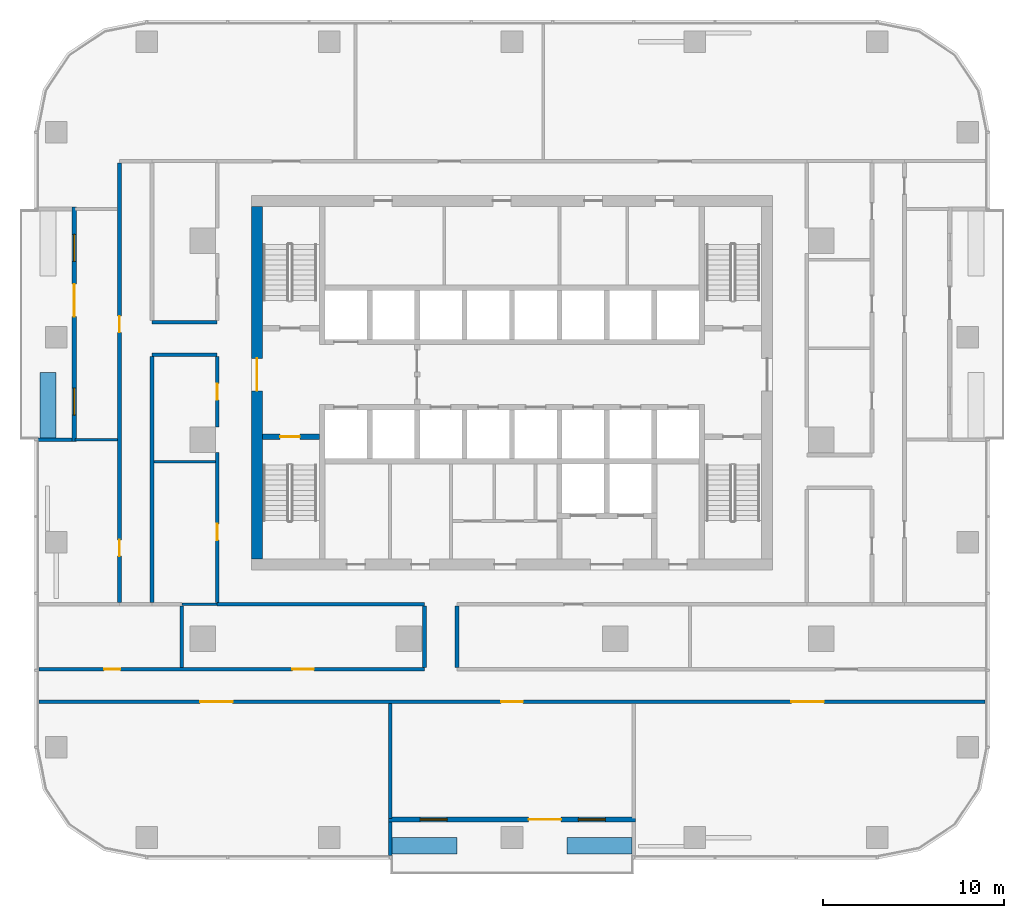
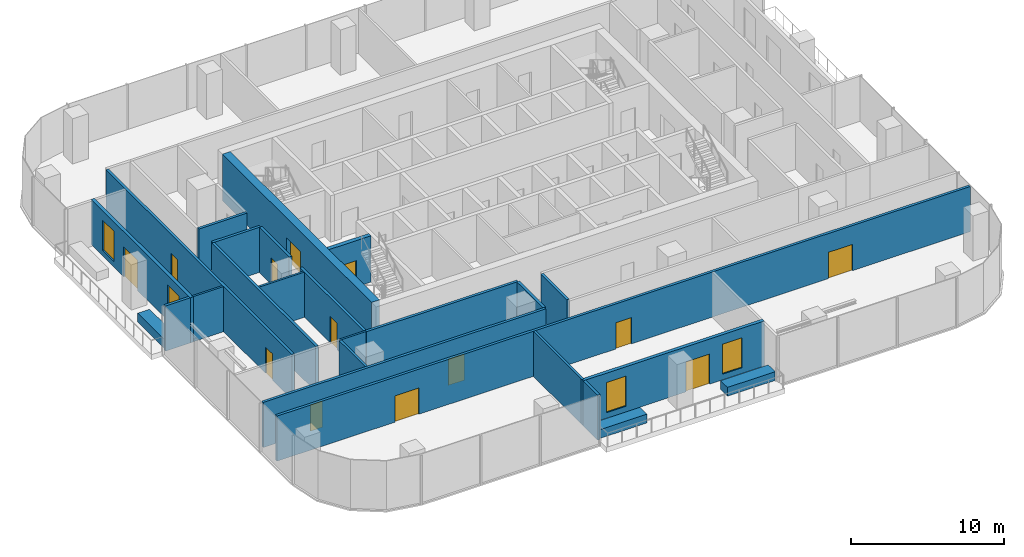
# One storey, part 7 of 15: 25 walls, 13 doors, 4 windows, 17 openings.
"""IFC4 building model written with IfcOpenShell, lengths in metres."""

from ifc_helpers import new_model, si_unit, direction, frame, frame_2d, origin, place, context, subcontext, project, spatial, rectangle, extrude, material, layer, layer_set, type_object, element, fill, save


model = new_model("IFC4")

# Units and contexts
model_context = context("Model", 3, precision=1e-05, world=origin(), true_north=direction((0.0, 1.0)))
body_context = subcontext(model_context, "Body", "Model", "MODEL_VIEW")
ifc_project = project(units=[si_unit("LENGTHUNIT", "METRE"), si_unit("AREAUNIT", "SQUARE_METRE"), si_unit("VOLUMEUNIT", "CUBIC_METRE"), si_unit("PLANEANGLEUNIT", "RADIAN"), si_unit("MASSUNIT", "GRAM", prefix="KILO")], contexts=[model_context])

# Site, building, storey
site_placement = place(None, origin())
site = spatial("IfcSite", under=ifc_project, at=site_placement, CompositionType="ELEMENT")
building_placement = place(site_placement, origin())
building = spatial("IfcBuilding", under=site, at=building_placement, Name="Mopane Tessera Tower", CompositionType="ELEMENT")
storey_placement = place(building_placement, frame((0.0, 0.0, 177.0)))
storey = spatial("IfcBuildingStorey", under=building, at=storey_placement, Name="L36", CompositionType="ELEMENT", Elevation=177.0)

# Wall, opening, door
ifc_material_1 = material(Name="Concrete C70/85", Category="concrete")
ifc_layer_1 = layer(ifc_material_1, 0.60009765625)
ifc_layer_set_1 = layer_set([ifc_layer_1], Name="Concrete C70/85")
wall_type_1 = type_object("IfcWallType", Name="Core shear wall 600 mm", PredefinedType="SHEAR", material=ifc_layer_set_1)
wall_1_placement = place(storey_placement, frame((-14.10009765625, -6.60009765625, 0.0), z_axis=(0.0, 0.0, 1.0), x_axis=(0.0, 1.0, 0.0)))
wall_1 = element("IfcWall", 1, at=wall_1_placement, inside=storey, type_object=wall_type_1, Name="L36 Core wall west", PredefinedType="SHEAR", context=body_context, shape_type="SweptSolid", body=[
    extrude(rectangle(XDim=19.5, YDim=0.60009765625, at=frame_2d((9.75, 0.0))), origin(), (0.0, 0.0, 1.0), 3.699951171875),
])
opening_1_placement = place(wall_1_placement, frame((9.300048828125, 0.0, 0.0)))
opening_1 = element("IfcOpeningElement", 2, at=opening_1_placement, cuts=wall_1, Name="Opening SD2", PredefinedType="OPENING", context=body_context, shape_type="SweptSolid", body=[
    extrude(rectangle(XDim=1.800048828125, YDim=2.10009765625, at=frame_2d((0.89990234375, 1.050048828125))), frame((0.0, 0.31201171875, 0.0), z_axis=(0.0, -1.0, 0.0), x_axis=(1.0, 0.0, 0.0)), (0.0, 0.0, 1.0), 0.6240234375),
])
ifc_material_2 = material(Name="Steel fire door", Category="steel")
door_type_1 = type_object("IfcDoorType", Name="Core entrance double door 1800 x 2100", OperationType="DOUBLE_DOOR_SINGLE_SWING", PredefinedType="DOOR", material=ifc_material_2)
door_1_placement = place(opening_1_placement, origin())
door_1 = element("IfcDoor", 3, at=door_1_placement, inside=storey, type_object=door_type_1, Name="L36 Core entrance door west", OperationType="DOUBLE_DOOR_SINGLE_SWING", OverallHeight=2.10009765625, OverallWidth=1.800048828125, PredefinedType="DOOR", context=body_context, shape_type="SweptSolid", body=[
    extrude(rectangle(XDim=1.800048828125, YDim=2.10009765625, at=frame_2d((0.89990234375, 1.050048828125))), frame((0.0, 0.02490234375, 0.0), z_axis=(0.0, -1.0, 0.0), x_axis=(1.0, 0.0, 0.0)), (0.0, 0.0, 1.0), 0.050048828125),
])
fill(opening_1, door_1)

# Walls
ifc_material_3 = material(Name="Gypsum board on staggered steel studs, double layer each face, acoustic mineral wool infill", Category="steel")
ifc_layer_2 = layer(ifc_material_3, 0.175048828125)
ifc_layer_set_2 = layer_set([ifc_layer_2], Name="Gypsum board on staggered steel studs, double layer each face, acoustic mineral wool infill")
wall_type_2 = type_object("IfcWallType", Name="Gypsum board acoustic partition 175, rated EI 60", PredefinedType="PARTITIONING", material=ifc_layer_set_2)
wall_2_placement = place(storey_placement, frame((-18.2548828125, -12.60009765625, 0.0), z_axis=(0.0, 0.0, 1.0), x_axis=(0.0, 1.0, 0.0)))
element("IfcWall", 4, at=wall_2_placement, inside=storey, type_object=wall_type_2, Name="Partition L36:032", PredefinedType="PARTITIONING", context=body_context, shape_type="SweptSolid", body=[
    extrude(rectangle(XDim=3.412109375, YDim=0.175048828125, at=frame_2d((1.7060546875, 0.0))), origin(), (0.0, 0.0, 1.0), 3.60009765625),
])
wall_3_placement = place(storey_placement, frame((-6.735107421875, -20.949951171875, 0.0), z_axis=(0.0, 0.0, 1.0), x_axis=(0.0, 1.0, 0.0)))
element("IfcWall", 5, at=wall_3_placement, inside=storey, type_object=wall_type_2, Name="Partition L36:038", PredefinedType="PARTITIONING", context=body_context, shape_type="SweptSolid", body=[
    extrude(rectangle(XDim=6.349853515625, YDim=0.175048828125, at=frame_2d((3.1748046875, 0.0))), origin(), (0.0, 0.0, 1.0), 3.60009765625),
])

# Wall, openings, doors
ifc_material_4 = material(Name="Gypsum board on steel studs, two layers each face, mineral wool infill", Category="steel")
ifc_layer_3 = layer(ifc_material_4, 0.199951171875)
ifc_layer_set_3 = layer_set([ifc_layer_3], Name="Gypsum board on steel studs, two layers each face, mineral wool infill")
wall_type_3 = type_object("IfcWallType", Name="Gypsum board corridor wall 200, rated EI 60", PredefinedType="PARTITIONING", material=ifc_layer_set_3)
wall_4_placement = place(storey_placement, frame((-26.14990234375, -14.5, 0.0), z_axis=(0.0, 0.0, 1.0), x_axis=(1.0, 0.0, 0.0)))
wall_4 = element("IfcWall", 6, at=wall_4_placement, inside=storey, type_object=wall_type_3, Name="Partition L36:000", PredefinedType="PARTITIONING", context=body_context, shape_type="SweptSolid", body=[
    extrude(rectangle(XDim=52.2998046875, YDim=0.199951171875, at=frame_2d((26.14990234375, 0.0))), origin(), (0.0, 0.0, 1.0), 3.60009765625),
])
opening_2_placement = place(wall_4_placement, frame((8.907470703125, 0.0, 0.0)))
opening_2 = element("IfcOpeningElement", 7, at=opening_2_placement, cuts=wall_4, Name="Opening L36-01", PredefinedType="OPENING", context=body_context, shape_type="SweptSolid", body=[
    extrude(rectangle(XDim=1.800048828125, YDim=2.10009765625, at=frame_2d((0.89990234375, 1.050048828125))), frame((0.0, 0.112060546875, 0.0), z_axis=(0.0, -1.0, 0.0), x_axis=(1.0, 0.0, 0.0)), (0.0, 0.0, 1.0), 0.223876953125),
])
opening_3_placement = place(wall_4_placement, frame((25.550048828125, 0.0, 0.0)))
opening_3 = element("IfcOpeningElement", 8, at=opening_3_placement, cuts=wall_4, Name="Opening L36-08", PredefinedType="OPENING", context=body_context, shape_type="SweptSolid", body=[
    extrude(rectangle(XDim=1.199951171875, YDim=2.10009765625, at=frame_2d((0.60009765625, 1.050048828125))), frame((0.0, 0.112060546875, 0.0), z_axis=(0.0, -1.0, 0.0), x_axis=(1.0, 0.0, 0.0)), (0.0, 0.0, 1.0), 0.223876953125),
])
opening_4_placement = place(wall_4_placement, frame((41.592529296875, 0.0, 0.0)))
opening_4 = element("IfcOpeningElement", 9, at=opening_4_placement, cuts=wall_4, Name="Opening L36-22", PredefinedType="OPENING", context=body_context, shape_type="SweptSolid", body=[
    extrude(rectangle(XDim=1.800048828125, YDim=2.10009765625, at=frame_2d((0.89990234375, 1.050048828125))), frame((0.0, 0.112060546875, 0.0), z_axis=(0.0, -1.0, 0.0), x_axis=(1.0, 0.0, 0.0)), (0.0, 0.0, 1.0), 0.223876953125),
])
ifc_material_5 = material(Name="Timber veneered steel-framed fire door", Category="steel")
door_type_2 = type_object("IfcDoorType", Name="Fire door FD60 1200 x 2100", OperationType="SINGLE_SWING_LEFT", PredefinedType="DOOR", material=ifc_material_5)
door_2_placement = place(opening_3_placement, origin())
door_2 = element("IfcDoor", 10, at=door_2_placement, inside=storey, type_object=door_type_2, Name="Door L36-08", ObjectType="D15A", OperationType="SINGLE_SWING_RIGHT", OverallHeight=2.10009765625, OverallWidth=1.199951171875, PredefinedType="DOOR", context=body_context, shape_type="SweptSolid", body=[
    extrude(rectangle(XDim=1.199951171875, YDim=2.10009765625, at=frame_2d((0.60009765625, 1.050048828125))), frame((0.0, 0.02490234375, 0.0), z_axis=(0.0, -1.0, 0.0), x_axis=(1.0, 0.0, 0.0)), (0.0, 0.0, 1.0), 0.050048828125),
])
fill(opening_3, door_2)
ifc_material_6 = material(Name="Timber veneered steel-framed fire door", Category="steel")
door_type_3 = type_object("IfcDoorType", Name="Fire door pair FD60 1800 x 2100", OperationType="DOUBLE_DOOR_SINGLE_SWING", PredefinedType="DOOR", material=ifc_material_6)
door_3_placement = place(opening_2_placement, origin())
door_3 = element("IfcDoor", 11, at=door_3_placement, inside=storey, type_object=door_type_3, Name="Door L36-01", ObjectType="D20A", OperationType="DOUBLE_DOOR_SINGLE_SWING", OverallHeight=2.10009765625, OverallWidth=1.800048828125, PredefinedType="DOOR", context=body_context, shape_type="SweptSolid", body=[
    extrude(rectangle(XDim=1.800048828125, YDim=2.10009765625, at=frame_2d((0.89990234375, 1.050048828125))), frame((0.0, 0.02490234375, 0.0), z_axis=(0.0, -1.0, 0.0), x_axis=(1.0, 0.0, 0.0)), (0.0, 0.0, 1.0), 0.050048828125),
])
fill(opening_2, door_3)
door_4_placement = place(opening_4_placement, origin())
door_4 = element("IfcDoor", 12, at=door_4_placement, inside=storey, type_object=door_type_3, Name="Door L36-22", ObjectType="D20A", OperationType="DOUBLE_DOOR_SINGLE_SWING", OverallHeight=2.10009765625, OverallWidth=1.800048828125, PredefinedType="DOOR", context=body_context, shape_type="SweptSolid", body=[
    extrude(rectangle(XDim=1.800048828125, YDim=2.10009765625, at=frame_2d((0.89990234375, 1.050048828125))), frame((0.0, 0.02490234375, 0.0), z_axis=(0.0, -1.0, 0.0), x_axis=(1.0, 0.0, 0.0)), (0.0, 0.0, 1.0), 0.050048828125),
])
fill(opening_4, door_4)

wall_5_placement = place(storey_placement, frame((-26.14990234375, -12.699951171875, 0.0), z_axis=(0.0, 0.0, 1.0), x_axis=(1.0, 0.0, 0.0)))
wall_5 = element("IfcWall", 13, at=wall_5_placement, inside=storey, type_object=wall_type_3, Name="Partition L36:001", PredefinedType="PARTITIONING", context=body_context, shape_type="SweptSolid", body=[
    extrude(rectangle(XDim=21.309814453125, YDim=0.199951171875, at=frame_2d((10.65478515625, 0.0))), origin(), (0.0, 0.0, 1.0), 3.60009765625),
])
opening_5_placement = place(wall_5_placement, frame((3.597412109375, 0.0, 0.0)))
opening_5 = element("IfcOpeningElement", 14, at=opening_5_placement, cuts=wall_5, Name="Opening L36-04", PredefinedType="OPENING", context=body_context, shape_type="SweptSolid", body=[
    extrude(rectangle(XDim=0.89990234375, YDim=2.10009765625, at=frame_2d((0.449951171875, 1.050048828125))), frame((0.0, 0.112060546875, 0.0), z_axis=(0.0, -1.0, 0.0), x_axis=(1.0, 0.0, 0.0)), (0.0, 0.0, 1.0), 0.223876953125),
])
opening_6_placement = place(wall_5_placement, frame((14.00244140625, 0.0, 0.0)))
opening_6 = element("IfcOpeningElement", 15, at=opening_6_placement, cuts=wall_5, Name="Opening L36-14", PredefinedType="OPENING", context=body_context, shape_type="SweptSolid", body=[
    extrude(rectangle(XDim=1.199951171875, YDim=2.10009765625, at=frame_2d((0.60009765625, 1.050048828125))), frame((0.0, 0.112060546875, 0.0), z_axis=(0.0, -1.0, 0.0), x_axis=(1.0, 0.0, 0.0)), (0.0, 0.0, 1.0), 0.223876953125),
])
door_5_placement = place(opening_6_placement, origin())
door_5 = element("IfcDoor", 16, at=door_5_placement, inside=storey, type_object=door_type_2, Name="Door L36-14", ObjectType="D15A", OperationType="SINGLE_SWING_LEFT", OverallHeight=2.10009765625, OverallWidth=1.199951171875, PredefinedType="DOOR", context=body_context, shape_type="SweptSolid", body=[
    extrude(rectangle(XDim=1.199951171875, YDim=2.10009765625, at=frame_2d((0.60009765625, 1.050048828125))), frame((0.0, 0.02490234375, 0.0), z_axis=(0.0, -1.0, 0.0), x_axis=(1.0, 0.0, 0.0)), (0.0, 0.0, 1.0), 0.050048828125),
])
fill(opening_6, door_5)
ifc_material_7 = material(Name="Timber veneered steel-framed fire door", Category="steel")
door_type_4 = type_object("IfcDoorType", Name="Fire door FD60 900 x 2100", OperationType="SINGLE_SWING_LEFT", PredefinedType="DOOR", material=ifc_material_7)
door_6_placement = place(opening_5_placement, origin())
door_6 = element("IfcDoor", 17, at=door_6_placement, inside=storey, type_object=door_type_4, Name="Door L36-04", ObjectType="D10A", OperationType="SINGLE_SWING_LEFT", OverallHeight=2.10009765625, OverallWidth=0.89990234375, PredefinedType="DOOR", context=body_context, shape_type="SweptSolid", body=[
    extrude(rectangle(XDim=0.89990234375, YDim=2.10009765625, at=frame_2d((0.449951171875, 1.050048828125))), frame((0.0, 0.02490234375, 0.0), z_axis=(0.0, -1.0, 0.0), x_axis=(1.0, 0.0, 0.0)), (0.0, 0.0, 1.0), 0.050048828125),
])
fill(opening_5, door_6)

# Walls
wall_6_placement = place(storey_placement, frame((-16.300048828125, -9.10009765625, 0.0), z_axis=(0.0, 0.0, 1.0), x_axis=(1.0, 0.0, 0.0)))
element("IfcWall", 18, at=wall_6_placement, inside=storey, type_object=wall_type_3, Name="Partition L36:009", PredefinedType="PARTITIONING", context=body_context, shape_type="SweptSolid", body=[
    extrude(rectangle(XDim=11.4599609375, YDim=0.199951171875, at=frame_2d((5.72998046875, 0.0))), origin(), (0.0, 0.0, 1.0), 3.60009765625),
])
for number, where, z_axis, x_axis, name in (
    (19, (-19.89990234375, 4.699951171875, 0.0), (0.0, 0.0, 1.0), (1.0, 0.0, 0.0), "Partition L36:017"),
    (20, (-19.89990234375, 6.5, 0.0), (0.0, 0.0, 1.0), (1.0, 0.0, 0.0), "Partition L36:019"),
):
    element("IfcWall", number, at=place(storey_placement, frame(where, z_axis=z_axis, x_axis=x_axis)), inside=storey, type_object=wall_type_3, Name=name, PredefinedType="PARTITIONING", context=body_context, shape_type="SweptSolid", body=[
        extrude(rectangle(XDim=3.599853515625, YDim=0.199951171875, at=frame_2d((1.7998046875, 0.0))), origin(), (0.0, 0.0, 1.0), 3.60009765625),
    ])

# Wall, openings, doors
wall_7_placement = place(storey_placement, frame((-21.699951171875, -9.0, 0.0), z_axis=(0.0, 0.0, 1.0), x_axis=(0.0, 1.0, 0.0)))
wall_7 = element("IfcWall", 21, at=wall_7_placement, inside=storey, type_object=wall_type_3, Name="Partition L36:029", PredefinedType="PARTITIONING", context=body_context, shape_type="SweptSolid", body=[
    extrude(rectangle(XDim=24.300048828125, YDim=0.199951171875, at=frame_2d((12.14990234375, 0.0))), origin(), (0.0, 0.0, 1.0), 3.60009765625),
])
opening_7_placement = place(wall_7_placement, frame((14.925048828125, 0.0, 0.0)))
opening_7 = element("IfcOpeningElement", 22, at=opening_7_placement, cuts=wall_7, Name="Opening L36-07", PredefinedType="OPENING", context=body_context, shape_type="SweptSolid", body=[
    extrude(rectangle(XDim=0.89990234375, YDim=2.10009765625, at=frame_2d((0.449951171875, 1.050048828125))), frame((0.0, 0.112060546875, 0.0), z_axis=(0.0, -1.0, 0.0), x_axis=(1.0, 0.0, 0.0)), (0.0, 0.0, 1.0), 0.223876953125),
])
opening_8_placement = place(wall_7_placement, frame((2.5625, 0.0, 0.0)))
opening_8 = element("IfcOpeningElement", 23, at=opening_8_placement, cuts=wall_7, Name="Opening L36-19", PredefinedType="OPENING", context=body_context, shape_type="SweptSolid", body=[
    extrude(rectangle(XDim=0.89990234375, YDim=2.10009765625, at=frame_2d((0.449951171875, 1.050048828125))), frame((0.0, 0.112060546875, 0.0), z_axis=(0.0, -1.0, 0.0), x_axis=(1.0, 0.0, 0.0)), (0.0, 0.0, 1.0), 0.223876953125),
])
door_7_placement = place(opening_7_placement, origin())
door_7 = element("IfcDoor", 24, at=door_7_placement, inside=storey, type_object=door_type_4, Name="Door L36-07", ObjectType="D10A", OperationType="SINGLE_SWING_RIGHT", OverallHeight=2.10009765625, OverallWidth=0.89990234375, PredefinedType="DOOR", context=body_context, shape_type="SweptSolid", body=[
    extrude(rectangle(XDim=0.89990234375, YDim=2.10009765625, at=frame_2d((0.449951171875, 1.050048828125))), frame((0.0, 0.02490234375, 0.0), z_axis=(0.0, -1.0, 0.0), x_axis=(1.0, 0.0, 0.0)), (0.0, 0.0, 1.0), 0.050048828125),
])
fill(opening_7, door_7)
door_8_placement = place(opening_8_placement, origin())
door_8 = element("IfcDoor", 25, at=door_8_placement, inside=storey, type_object=door_type_4, Name="Door L36-19", ObjectType="D10A", OperationType="SINGLE_SWING_RIGHT", OverallHeight=2.10009765625, OverallWidth=0.89990234375, PredefinedType="DOOR", context=body_context, shape_type="SweptSolid", body=[
    extrude(rectangle(XDim=0.89990234375, YDim=2.10009765625, at=frame_2d((0.449951171875, 1.050048828125))), frame((0.0, 0.02490234375, 0.0), z_axis=(0.0, -1.0, 0.0), x_axis=(1.0, 0.0, 0.0)), (0.0, 0.0, 1.0), 0.050048828125),
])
fill(opening_8, door_8)

# Wall
wall_8_placement = place(storey_placement, frame((-19.89990234375, -9.0, 0.0), z_axis=(0.0, 0.0, 1.0), x_axis=(0.0, 1.0, 0.0)))
element("IfcWall", 26, at=wall_8_placement, inside=storey, type_object=wall_type_3, Name="Partition L36:030", PredefinedType="PARTITIONING", context=body_context, shape_type="SweptSolid", body=[
    extrude(rectangle(XDim=13.60009765625, YDim=0.199951171875, at=frame_2d((6.800048828125, 0.0))), origin(), (0.0, 0.0, 1.0), 3.60009765625),
])

# Wall, opening, door
wall_9_placement = place(storey_placement, frame((-16.300048828125, -9.0, 0.0), z_axis=(0.0, 0.0, 1.0), x_axis=(0.0, 1.0, 0.0)))
wall_9 = element("IfcWall", 27, at=wall_9_placement, inside=storey, type_object=wall_type_3, Name="Partition L36:033", PredefinedType="PARTITIONING", context=body_context, shape_type="SweptSolid", body=[
    extrude(rectangle(XDim=8.300048828125, YDim=0.199951171875, at=frame_2d((4.14990234375, 0.0))), origin(), (0.0, 0.0, 1.0), 3.60009765625),
])
opening_9_placement = place(wall_9_placement, frame((3.4423828125, 0.0, 0.0)))
opening_9 = element("IfcOpeningElement", 28, at=opening_9_placement, cuts=wall_9, Name="Opening L36-10", PredefinedType="OPENING", context=body_context, shape_type="SweptSolid", body=[
    extrude(rectangle(XDim=0.89990234375, YDim=2.10009765625, at=frame_2d((0.449951171875, 1.050048828125))), frame((0.0, 0.112060546875, 0.0), z_axis=(0.0, -1.0, 0.0), x_axis=(1.0, 0.0, 0.0)), (0.0, 0.0, 1.0), 0.223876953125),
])
door_9_placement = place(opening_9_placement, origin())
door_9 = element("IfcDoor", 29, at=door_9_placement, inside=storey, type_object=door_type_4, Name="Door L36-10", ObjectType="D10A", OperationType="SINGLE_SWING_LEFT", OverallHeight=2.10009765625, OverallWidth=0.89990234375, PredefinedType="DOOR", context=body_context, shape_type="SweptSolid", body=[
    extrude(rectangle(XDim=0.89990234375, YDim=2.10009765625, at=frame_2d((0.449951171875, 1.050048828125))), frame((0.0, 0.02490234375, 0.0), z_axis=(0.0, -1.0, 0.0), x_axis=(1.0, 0.0, 0.0)), (0.0, 0.0, 1.0), 0.050048828125),
])
fill(opening_9, door_9)

wall_10_placement = place(storey_placement, frame((-16.300048828125, 0.699951171875, 0.0), z_axis=(0.0, 0.0, 1.0), x_axis=(0.0, 1.0, 0.0)))
wall_10 = element("IfcWall", 30, at=wall_10_placement, inside=storey, type_object=wall_type_3, Name="Partition L36:034", PredefinedType="PARTITIONING", context=body_context, shape_type="SweptSolid", body=[
    extrude(rectangle(XDim=3.900146484375, YDim=0.199951171875, at=frame_2d((1.9501953125, 0.0))), origin(), (0.0, 0.0, 1.0), 3.60009765625),
])
opening_10_placement = place(wall_10_placement, frame((1.5, 0.0, 0.0)))
opening_10 = element("IfcOpeningElement", 31, at=opening_10_placement, cuts=wall_10, Name="Opening L36-16", PredefinedType="OPENING", context=body_context, shape_type="SweptSolid", body=[
    extrude(rectangle(XDim=0.89990234375, YDim=2.10009765625, at=frame_2d((0.449951171875, 1.050048828125))), frame((0.0, 0.112060546875, 0.0), z_axis=(0.0, -1.0, 0.0), x_axis=(1.0, 0.0, 0.0)), (0.0, 0.0, 1.0), 0.223876953125),
])
door_10_placement = place(opening_10_placement, origin())
door_10 = element("IfcDoor", 32, at=door_10_placement, inside=storey, type_object=door_type_4, Name="Door L36-16", ObjectType="D10A", OperationType="SINGLE_SWING_LEFT", OverallHeight=2.10009765625, OverallWidth=0.89990234375, PredefinedType="DOOR", context=body_context, shape_type="SweptSolid", body=[
    extrude(rectangle(XDim=0.89990234375, YDim=2.10009765625, at=frame_2d((0.449951171875, 1.050048828125))), frame((0.0, 0.02490234375, 0.0), z_axis=(0.0, -1.0, 0.0), x_axis=(1.0, 0.0, 0.0)), (0.0, 0.0, 1.0), 0.050048828125),
])
fill(opening_10, door_10)

# Walls
for number, where, z_axis, x_axis, name in (
    (33, (-4.840087890625, -12.60009765625, 0.0), (0.0, 0.0, 1.0), (0.0, 1.0, 0.0), "Partition L36:039"),
    (34, (-3.0400390625, -12.60009765625, 0.0), (0.0, 0.0, 1.0), (0.0, 1.0, 0.0), "Partition L36:040"),
):
    element("IfcWall", number, at=place(storey_placement, frame(where, z_axis=z_axis, x_axis=x_axis)), inside=storey, type_object=wall_type_3, Name=name, PredefinedType="PARTITIONING", context=body_context, shape_type="SweptSolid", body=[
        extrude(rectangle(XDim=3.400146484375, YDim=0.199951171875, at=frame_2d((1.7001953125, 0.0))), origin(), (0.0, 0.0, 1.0), 3.60009765625),
    ])
ifc_material_8 = material(Name="Gypsum board on steel studs, mineral wool infill", Category="steel")
ifc_layer_4 = layer(ifc_material_8, 0.14990234375)
ifc_layer_set_4 = layer_set([ifc_layer_4], Name="Gypsum board on steel studs, mineral wool infill")
wall_type_4 = type_object("IfcWallType", Name="Gypsum board partition 150, rated EI 60", PredefinedType="PARTITIONING", material=ifc_layer_set_4)
wall_11_placement = place(storey_placement, frame((-18.2548828125, -9.10009765625, 0.0), z_axis=(0.0, 0.0, 1.0), x_axis=(1.0, 0.0, 0.0)))
element("IfcWall", 35, at=wall_11_placement, inside=storey, type_object=wall_type_4, Name="Partition L36:003", PredefinedType="PARTITIONING", context=body_context, shape_type="SweptSolid", body=[
    extrude(rectangle(XDim=1.954833984375, YDim=0.14990234375, at=frame_2d((0.9775390625, 0.0))), origin(), (0.0, 0.0, 1.0), 3.60009765625),
])
wall_12_placement = place(storey_placement, frame((-19.800048828125, -1.215087890625, 0.0), z_axis=(0.0, 0.0, 1.0), x_axis=(1.0, 0.0, 0.0)))
element("IfcWall", 36, at=wall_12_placement, inside=storey, type_object=wall_type_4, Name="Partition L36:013", PredefinedType="PARTITIONING", context=body_context, shape_type="SweptSolid", body=[
    extrude(rectangle(XDim=3.400146484375, YDim=0.14990234375, at=frame_2d((1.7001953125, 0.0))), origin(), (0.0, 0.0, 1.0), 3.60009765625),
])
wall_13_placement = place(storey_placement, frame((-24.14990234375, 0.0, 0.0), z_axis=(0.0, 0.0, 1.0), x_axis=(1.0, 0.0, 0.0)))
element("IfcWall", 37, at=wall_13_placement, inside=storey, type_object=wall_type_4, Name="Partition L36:015", PredefinedType="PARTITIONING", context=body_context, shape_type="SweptSolid", body=[
    extrude(rectangle(XDim=2.349853515625, YDim=0.14990234375, at=frame_2d((1.1748046875, 0.0))), origin(), (0.0, 0.0, 1.0), 3.60009765625),
])

# Wall, opening, door
ifc_material_9 = material(Name="Concrete C50/60", Category="concrete")
ifc_layer_5 = layer(ifc_material_9, 0.300048828125)
ifc_layer_set_5 = layer_set([ifc_layer_5], Name="Concrete C50/60")
wall_type_5 = type_object("IfcWallType", Name="Lift and stair shaft wall 300 mm", PredefinedType="SOLIDWALL", material=ifc_layer_set_5)
wall_14_placement = place(storey_placement, frame((-13.800048828125, 0.14990234375, 0.0), z_axis=(0.0, 0.0, 1.0), x_axis=(1.0, 0.0, 0.0)))
wall_14 = element("IfcWall", 38, at=wall_14_placement, inside=storey, type_object=wall_type_5, Name="L36 Stair enclosure wall", PredefinedType="SOLIDWALL", context=body_context, shape_type="SweptSolid", body=[
    extrude(rectangle(XDim=3.150146484375, YDim=0.300048828125, at=frame_2d((1.5751953125, 0.0))), origin(), (0.0, 0.0, 1.0), 3.699951171875),
])
opening_11_placement = place(wall_14_placement, frame((0.97509765625, 0.0, 0.0)))
opening_11 = element("IfcOpeningElement", 39, at=opening_11_placement, cuts=wall_14, Name="Opening SD1", PredefinedType="OPENING", context=body_context, shape_type="SweptSolid", body=[
    extrude(rectangle(XDim=1.10009765625, YDim=2.10009765625, at=frame_2d((0.550048828125, 1.050048828125))), frame((0.0, 0.162109375, 0.0), z_axis=(0.0, -1.0, 0.0), x_axis=(1.0, 0.0, 0.0)), (0.0, 0.0, 1.0), 0.323974609375),
])
ifc_material_10 = material(Name="Steel fire door", Category="steel")
door_type_5 = type_object("IfcDoorType", Name="Stair fire door 1100 x 2100", OperationType="SINGLE_SWING_LEFT", PredefinedType="DOOR", material=ifc_material_10)
door_11_placement = place(opening_11_placement, origin())
door_11 = element("IfcDoor", 40, at=door_11_placement, inside=storey, type_object=door_type_5, Name="L36 Stair door ST1", OperationType="SINGLE_SWING_LEFT", OverallHeight=2.10009765625, OverallWidth=1.10009765625, PredefinedType="DOOR", context=body_context, shape_type="SweptSolid", body=[
    extrude(rectangle(XDim=1.10009765625, YDim=2.10009765625, at=frame_2d((0.550048828125, 1.050048828125))), frame((0.0, 0.02490234375, 0.0), z_axis=(0.0, -1.0, 0.0), x_axis=(1.0, 0.0, 0.0)), (0.0, 0.0, 1.0), 0.050048828125),
])
fill(opening_11, door_11)

# Walls
ifc_material_11 = material(Name="Reinforced concrete C32/40 with waterproofing", Category="concrete")
ifc_layer_6 = layer(ifc_material_11, 0.89990234375)
ifc_layer_set_6 = layer_set([ifc_layer_6], Name="Reinforced concrete C32/40 with waterproofing")
wall_type_6 = type_object("IfcWallType", Name="Planter trough 3600 x 900", PredefinedType="STANDARD", material=ifc_layer_set_6)
for number, where, z_axis, x_axis, name in (
    (41, (-25.64990234375, 3.699951171875, 0.0), (0.0, 0.0, 1.0), (0.0, -1.0, 0.0), "e:nw:L36:N1:pl1"),
    (42, (-6.63330078125, -22.449951171875, 0.0), (0.0, 0.0, 1.0), (1.0, 0.0, 0.0), "e:nw:L36:N2:pl0"),
    (43, (3.033447265625, -22.449951171875, 0.0), (0.0, 0.0, 1.0), (1.0, 0.0, 0.0), "e:nw:L36:N2:pl1"),
):
    element("IfcWall", number, at=place(storey_placement, frame(where, z_axis=z_axis, x_axis=x_axis)), inside=storey, type_object=wall_type_6, Name=name, PredefinedType="STANDARD", context=body_context, shape_type="SweptSolid", body=[
        extrude(rectangle(XDim=3.599853515625, YDim=0.89990234375, at=frame_2d((1.7998046875, 0.0))), origin(), (0.0, 0.0, 1.0), 0.699951171875),
    ])
ifc_material_12 = material(Name="Blockwork with glazed tile facing", Category="masonry")
ifc_layer_7 = layer(ifc_material_12, 0.199951171875)
ifc_layer_set_7 = layer_set([ifc_layer_7], Name="Blockwork with glazed tile facing")
wall_type_7 = type_object("IfcWallType", Name="Terrace cheek wall 200", PredefinedType="STANDARD", material=ifc_layer_set_7)
for number, where, z_axis, x_axis, name in (
    (44, (-26.199951171875, 0.0, 0.0), (0.0, 0.0, 1.0), (1.0, 0.0, 0.0), "e:nw:L36:N1:cheekb"),
    (45, (-6.7333984375, -23.0, 0.0), (0.0, 0.0, 1.0), (0.0, 1.0, 0.0), "e:nw:L36:N2:cheeka"),
):
    element("IfcWall", number, at=place(storey_placement, frame(where, z_axis=z_axis, x_axis=x_axis)), inside=storey, type_object=wall_type_7, Name=name, PredefinedType="STANDARD", context=body_context, shape_type="SweptSolid", body=[
        extrude(rectangle(XDim=1.875, YDim=0.199951171875, at=frame_2d((0.9375, 0.0))), origin(), (0.0, 0.0, 1.0), 3.60009765625),
    ])

# Wall, openings, windows, door
ifc_material_13 = material(Name="Blockwork with ochre glazed tile facing", Category="masonry")
ifc_layer_8 = layer(ifc_material_13, 0.25)
ifc_layer_set_8 = layer_set([ifc_layer_8], Name="Blockwork with ochre glazed tile facing")
wall_type_8 = type_object("IfcWallType", Name="Tile-clad external wall 250, ochre", PredefinedType="STANDARD", material=ifc_layer_set_8)
wall_15_placement = place(storey_placement, frame((-24.199951171875, 12.85009765625, 0.0), z_axis=(0.0, 0.0, 1.0), x_axis=(0.0, -1.0, 0.0)))
wall_15 = element("IfcWall", 46, at=wall_15_placement, inside=storey, type_object=wall_type_8, Name="e:nw:L36:N1:back", PredefinedType="STANDARD", context=body_context, shape_type="SweptSolid", body=[
    extrude(rectangle(XDim=12.9501953125, YDim=0.25, at=frame_2d((6.47509765625, 0.0))), origin(), (0.0, 0.0, 1.0), 3.60009765625),
])
opening_12_placement = place(wall_15_placement, frame((1.5, 0.0, 0.449951171875)))
opening_12 = element("IfcOpeningElement", 47, at=opening_12_placement, cuts=wall_15, Name="Opening NW361A", PredefinedType="OPENING", context=body_context, shape_type="SweptSolid", body=[
    extrude(rectangle(XDim=1.5, YDim=2.39990234375, at=frame_2d((0.75, 1.199951171875))), frame((0.0, 0.136962890625, 0.0), z_axis=(0.0, -1.0, 0.0), x_axis=(1.0, 0.0, 0.0)), (0.0, 0.0, 1.0), 0.27392578125),
])
opening_13_placement = place(wall_15_placement, frame((4.25, 0.0, 0.0)))
opening_13 = element("IfcOpeningElement", 48, at=opening_13_placement, cuts=wall_15, Name="Opening ND361", PredefinedType="OPENING", context=body_context, shape_type="SweptSolid", body=[
    extrude(rectangle(XDim=1.800048828125, YDim=2.39990234375, at=frame_2d((0.89990234375, 1.199951171875))), frame((0.0, 0.136962890625, 0.0), z_axis=(0.0, -1.0, 0.0), x_axis=(1.0, 0.0, 0.0)), (0.0, 0.0, 1.0), 0.27392578125),
])
opening_14_placement = place(wall_15_placement, frame((10.0, 0.0, 0.449951171875)))
opening_14 = element("IfcOpeningElement", 49, at=opening_14_placement, cuts=wall_15, Name="Opening NW361B", PredefinedType="OPENING", context=body_context, shape_type="SweptSolid", body=[
    extrude(rectangle(XDim=1.5, YDim=2.39990234375, at=frame_2d((0.75, 1.199951171875))), frame((0.0, 0.136962890625, 0.0), z_axis=(0.0, -1.0, 0.0), x_axis=(1.0, 0.0, 0.0)), (0.0, 0.0, 1.0), 0.27392578125),
])
ifc_material_14 = material(Name="Clear laminated glass", Category="glass")
window_type = type_object("IfcWindowType", Name="Fixed window 1500 x 2400", PartitioningType="SINGLE_PANEL", PredefinedType="WINDOW", material=ifc_material_14)
window_1_placement = place(opening_12_placement, origin())
window_1 = element("IfcWindow", 50, at=window_1_placement, inside=storey, type_object=window_type, Name="e:nw:L36:N1:win0", OverallHeight=2.39990234375, OverallWidth=1.5, PartitioningType="SINGLE_PANEL", PredefinedType="WINDOW", context=body_context, shape_type="SweptSolid", body=[
    extrude(rectangle(XDim=1.5, YDim=2.39990234375, at=frame_2d((0.75, 1.199951171875))), frame((0.0, 0.030029296875, 0.0), z_axis=(0.0, -1.0, 0.0), x_axis=(1.0, 0.0, 0.0)), (0.0, 0.0, 1.0), 0.06005859375),
])
fill(opening_12, window_1)
window_2_placement = place(opening_14_placement, origin())
window_2 = element("IfcWindow", 51, at=window_2_placement, inside=storey, type_object=window_type, Name="e:nw:L36:N1:win2", OverallHeight=2.39990234375, OverallWidth=1.5, PartitioningType="SINGLE_PANEL", PredefinedType="WINDOW", context=body_context, shape_type="SweptSolid", body=[
    extrude(rectangle(XDim=1.5, YDim=2.39990234375, at=frame_2d((0.75, 1.199951171875))), frame((0.0, 0.030029296875, 0.0), z_axis=(0.0, -1.0, 0.0), x_axis=(1.0, 0.0, 0.0)), (0.0, 0.0, 1.0), 0.06005859375),
])
fill(opening_14, window_2)
ifc_material_15 = material(Name="Aluminium and clear glass", Category="aluminium")
door_type_6 = type_object("IfcDoorType", Name="Terrace double door 1800 x 2400", OperationType="DOUBLE_DOOR_SINGLE_SWING", PredefinedType="DOOR", material=ifc_material_15)
door_12_placement = place(opening_13_placement, origin())
door_12 = element("IfcDoor", 52, at=door_12_placement, inside=storey, type_object=door_type_6, Name="e:nw:L36:N1:door", ObjectType="D1", OperationType="DOUBLE_DOOR_SINGLE_SWING", OverallHeight=2.39990234375, OverallWidth=1.800048828125, PredefinedType="DOOR", context=body_context, shape_type="SweptSolid", body=[
    extrude(rectangle(XDim=1.800048828125, YDim=2.39990234375, at=frame_2d((0.89990234375, 1.199951171875))), frame((0.0, 0.02490234375, 0.0), z_axis=(0.0, -1.0, 0.0), x_axis=(1.0, 0.0, 0.0)), (0.0, 0.0, 1.0), 0.050048828125),
])
fill(opening_13, door_12)

wall_16_placement = place(storey_placement, frame((-6.833251953125, -21.0, 0.0), z_axis=(0.0, 0.0, 1.0), x_axis=(1.0, 0.0, 0.0)))
wall_16 = element("IfcWall", 53, at=wall_16_placement, inside=storey, type_object=wall_type_8, Name="e:nw:L36:N2:back", PredefinedType="STANDARD", context=body_context, shape_type="SweptSolid", body=[
    extrude(rectangle(XDim=13.66650390625, YDim=0.25, at=frame_2d((6.833251953125, 0.0))), origin(), (0.0, 0.0, 1.0), 3.60009765625),
])
opening_15_placement = place(wall_16_placement, frame((1.75, 0.0, 0.449951171875)))
opening_15 = element("IfcOpeningElement", 54, at=opening_15_placement, cuts=wall_16, Name="Opening NW362A", PredefinedType="OPENING", context=body_context, shape_type="SweptSolid", body=[
    extrude(rectangle(XDim=1.5, YDim=2.39990234375, at=frame_2d((0.75, 1.199951171875))), frame((0.0, 0.136962890625, 0.0), z_axis=(0.0, -1.0, 0.0), x_axis=(1.0, 0.0, 0.0)), (0.0, 0.0, 1.0), 0.27392578125),
])
opening_16_placement = place(wall_16_placement, frame((7.75, 0.0, 0.0)))
opening_16 = element("IfcOpeningElement", 55, at=opening_16_placement, cuts=wall_16, Name="Opening ND362", PredefinedType="OPENING", context=body_context, shape_type="SweptSolid", body=[
    extrude(rectangle(XDim=1.800048828125, YDim=2.39990234375, at=frame_2d((0.89990234375, 1.199951171875))), frame((0.0, 0.136962890625, 0.0), z_axis=(0.0, -1.0, 0.0), x_axis=(1.0, 0.0, 0.0)), (0.0, 0.0, 1.0), 0.27392578125),
])
opening_17_placement = place(wall_16_placement, frame((10.5, 0.0, 0.449951171875)))
opening_17 = element("IfcOpeningElement", 56, at=opening_17_placement, cuts=wall_16, Name="Opening NW362B", PredefinedType="OPENING", context=body_context, shape_type="SweptSolid", body=[
    extrude(rectangle(XDim=1.5, YDim=2.39990234375, at=frame_2d((0.75, 1.199951171875))), frame((0.0, 0.136962890625, 0.0), z_axis=(0.0, -1.0, 0.0), x_axis=(1.0, 0.0, 0.0)), (0.0, 0.0, 1.0), 0.27392578125),
])
window_3_placement = place(opening_15_placement, origin())
window_3 = element("IfcWindow", 57, at=window_3_placement, inside=storey, type_object=window_type, Name="e:nw:L36:N2:win0", OverallHeight=2.39990234375, OverallWidth=1.5, PartitioningType="SINGLE_PANEL", PredefinedType="WINDOW", context=body_context, shape_type="SweptSolid", body=[
    extrude(rectangle(XDim=1.5, YDim=2.39990234375, at=frame_2d((0.75, 1.199951171875))), frame((0.0, 0.030029296875, 0.0), z_axis=(0.0, -1.0, 0.0), x_axis=(1.0, 0.0, 0.0)), (0.0, 0.0, 1.0), 0.06005859375),
])
fill(opening_15, window_3)
window_4_placement = place(opening_17_placement, origin())
window_4 = element("IfcWindow", 58, at=window_4_placement, inside=storey, type_object=window_type, Name="e:nw:L36:N2:win2", OverallHeight=2.39990234375, OverallWidth=1.5, PartitioningType="SINGLE_PANEL", PredefinedType="WINDOW", context=body_context, shape_type="SweptSolid", body=[
    extrude(rectangle(XDim=1.5, YDim=2.39990234375, at=frame_2d((0.75, 1.199951171875))), frame((0.0, 0.030029296875, 0.0), z_axis=(0.0, -1.0, 0.0), x_axis=(1.0, 0.0, 0.0)), (0.0, 0.0, 1.0), 0.06005859375),
])
fill(opening_17, window_4)
door_13_placement = place(opening_16_placement, origin())
door_13 = element("IfcDoor", 59, at=door_13_placement, inside=storey, type_object=door_type_6, Name="e:nw:L36:N2:door", ObjectType="D1", OperationType="DOUBLE_DOOR_SINGLE_SWING", OverallHeight=2.39990234375, OverallWidth=1.800048828125, PredefinedType="DOOR", context=body_context, shape_type="SweptSolid", body=[
    extrude(rectangle(XDim=1.800048828125, YDim=2.39990234375, at=frame_2d((0.89990234375, 1.199951171875))), frame((0.0, 0.02490234375, 0.0), z_axis=(0.0, -1.0, 0.0), x_axis=(1.0, 0.0, 0.0)), (0.0, 0.0, 1.0), 0.050048828125),
])
fill(opening_16, door_13)

save(model, "model.ifc")
